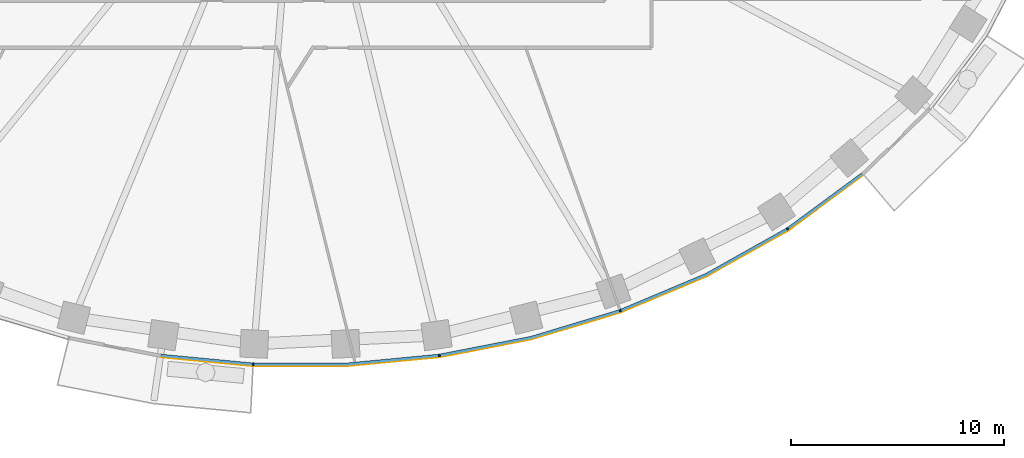
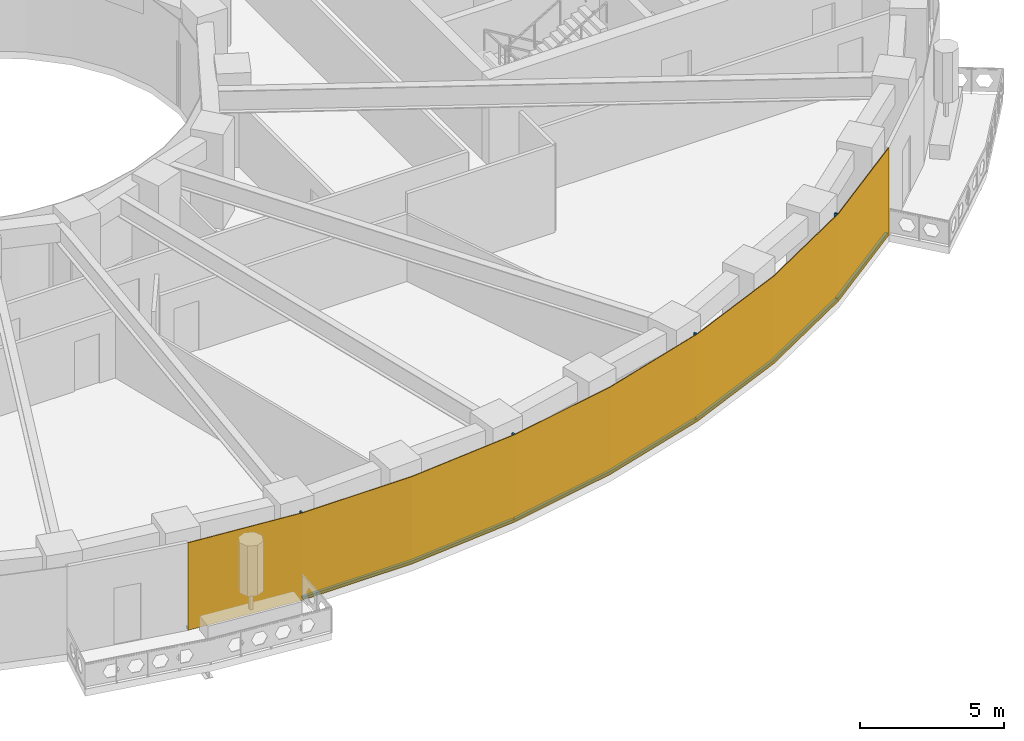
# One storey, part 9 of 16: 9 members, 1 curtain wall.
"""IFC4 building model written with IfcOpenShell, lengths in metres."""

from ifc_helpers import new_model, si_unit, direction, frame, origin, origin_2d, place, context, subcontext, project, spatial, polyline, rectangle, outline, extrude, material, layer, layer_set, material_profile, profile_set, type_object, element, aggregate, save


model = new_model("IFC4")

# Units and contexts
model_context = context("Model", 3, precision=1e-05, world=origin(), true_north=direction((0.0, 1.0)))
body_context = subcontext(model_context, "Body", "Model", "MODEL_VIEW")
ifc_project = project(units=[si_unit("LENGTHUNIT", "METRE"), si_unit("AREAUNIT", "SQUARE_METRE"), si_unit("VOLUMEUNIT", "CUBIC_METRE"), si_unit("PLANEANGLEUNIT", "RADIAN"), si_unit("MASSUNIT", "GRAM", prefix="KILO")], contexts=[model_context])

# Member
ifc_material_1 = material(Name="Aluminium 6063-T6 black anodised", Category="aluminium")
ifc_material_profile = material_profile(ifc_material_1, rectangle(XDim=0.1201171875, YDim=0.06005859375, at=origin_2d()), Name="120x60")
ifc_profile_set = profile_set([ifc_material_profile], Name="Aluminium 6063-T6 black anodised")
member_type_1 = type_object("IfcMemberType", Name="ENV-MULLION-A-120", PredefinedType="MULLION", material=ifc_profile_set)
site_placement = place(None, origin())
building_placement = place(site_placement, origin())
storey_placement = place(building_placement, frame((0.0, 0.0, 100.0)))
member_1_placement = place(storey_placement, frame((-2.188720703125, -27.856201171875, 0.0), z_axis=(0.0, 0.0, 1.0), x_axis=(0.047557873581, 0.998868484166, 0.0)))
member_1 = element("IfcMember", 1, at=member_1_placement, type_object=member_type_1, Name="Mullion A radial 35", PredefinedType="MULLION", context=body_context, shape_type="SweptSolid", body=[
    extrude(rectangle(XDim=0.1201171875, YDim=0.06005859375, at=origin_2d()), origin(), (0.0, 0.0, 1.0), 3.699951171875),
])

member_2_placement = place(storey_placement, frame((6.54638671875, -27.440185546875, 0.0), z_axis=(0.0, 0.0, 1.0), x_axis=(-0.143082012705, 0.989710835366, 0.0)))
member_2 = element("IfcMember", 2, at=member_2_placement, type_object=member_type_1, Name="Mullion A radial 37", PredefinedType="MULLION", context=body_context, shape_type="SweptSolid", body=[
    extrude(rectangle(XDim=0.1201171875, YDim=0.06005859375, at=origin_2d()), origin(), (0.0, 0.0, 1.0), 3.699951171875),
])

member_3_placement = place(storey_placement, frame((15.0341796875, -25.34375, 0.0), z_axis=(0.0, 0.0, 1.0), x_axis=(-0.338379256581, 0.941009818608, 0.0)))
member_3 = element("IfcMember", 3, at=member_3_placement, type_object=member_type_1, Name="Mullion A radial 39", PredefinedType="MULLION", context=body_context, shape_type="SweptSolid", body=[
    extrude(rectangle(XDim=0.1201171875, YDim=0.06005859375, at=origin_2d()), origin(), (0.0, 0.0, 1.0), 3.699951171875),
])

member_4_placement = place(storey_placement, frame((22.882568359375, -21.506591796875, 0.0), z_axis=(0.0, 0.0, 1.0), x_axis=(-0.542279153225, 0.840198381323, 0.0)))
member_4 = element("IfcMember", 4, at=member_4_placement, type_object=member_type_1, Name="Mullion A radial 41", PredefinedType="MULLION", context=body_context, shape_type="SweptSolid", body=[
    extrude(rectangle(XDim=0.1201171875, YDim=0.06005859375, at=origin_2d()), origin(), (0.0, 0.0, 1.0), 3.699951171875),
])

ifc_material_2 = material(Name="Aluminium 6063-T6 black anodised", Category="aluminium")
member_type_2 = type_object("IfcMemberType", Name="ENV-TRANSOM-A", PredefinedType="USERDEFINED", material=ifc_material_2)
member_5_placement = place(storey_placement, origin())
member_5 = element("IfcMember", 5, at=member_5_placement, type_object=member_type_2, Name="Transom A radial 34-35", ObjectType="TRANSOM", PredefinedType="USERDEFINED", context=body_context, shape_type="SweptSolid", body=[
    extrude(outline(polyline([(-6.53515625, -27.50146484375), (-2.219482421875, -27.913330078125), (-2.2138671875, -27.793212890625), (-6.51806640625, -27.382568359375), (-6.53515625, -27.50146484375)])), origin(), (0.0, 0.0, 1.0), 0.10009765625),
])

member_6_placement = place(storey_placement, origin())
member_6 = element("IfcMember", 6, at=member_6_placement, type_object=member_type_2, Name="Transom A radial 35-37", ObjectType="TRANSOM", PredefinedType="USERDEFINED", context=body_context, shape_type="SweptSolid", body=[
    extrude(outline(polyline([(-2.163818359375, -27.916015625), (2.191650390625, -27.916015625), (6.527099609375, -27.502197265625), (6.510009765625, -27.38330078125), (2.185791015625, -27.7958984375), (-2.157958984375, -27.7958984375), (-2.163818359375, -27.916015625)])), origin(), (0.0, 0.0, 1.0), 0.10009765625),
])

member_7_placement = place(storey_placement, origin())
member_7 = element("IfcMember", 7, at=member_7_placement, type_object=member_type_2, Name="Transom A radial 37-39", ObjectType="TRANSOM", PredefinedType="USERDEFINED", context=body_context, shape_type="SweptSolid", body=[
    extrude(outline(polyline([(6.58251953125, -27.494140625), (10.857666015625, -26.6630859375), (15.027587890625, -25.408203125), (14.987060546875, -25.295166015625), (10.828857421875, -26.54638671875), (6.5654296875, -27.375244140625), (6.58251953125, -27.494140625)])), origin(), (0.0, 0.0, 1.0), 0.10009765625),
])

member_8_placement = place(storey_placement, origin())
member_8 = element("IfcMember", 8, at=member_8_placement, type_object=member_type_2, Name="Transom A radial 39-41", ObjectType="TRANSOM", PredefinedType="USERDEFINED", context=body_context, shape_type="SweptSolid", body=[
    extrude(outline(polyline([(15.080322265625, -25.389404296875), (19.093994140625, -23.701416015625), (22.890625, -21.570556640625), (22.825439453125, -21.469482421875), (19.041259765625, -23.593505859375), (15.03955078125, -25.276123046875), (15.080322265625, -25.389404296875)])), origin(), (0.0, 0.0, 1.0), 0.10009765625),
])

member_9_placement = place(storey_placement, origin())
member_9 = element("IfcMember", 9, at=member_9_placement, type_object=member_type_2, Name="Transom A radial 41-42", ObjectType="TRANSOM", PredefinedType="USERDEFINED", context=body_context, shape_type="SweptSolid", body=[
    extrude(outline(polyline([(22.937744140625, -21.540283203125), (26.42626953125, -18.970703125), (26.348388671875, -18.87890625), (22.87255859375, -21.439208984375), (22.937744140625, -21.540283203125)])), origin(), (0.0, 0.0, 1.0), 0.10009765625),
])

# Site, building, storey
site = spatial("IfcSite", under=ifc_project, at=site_placement, CompositionType="ELEMENT")
building = spatial("IfcBuilding", under=site, at=building_placement, Name="Noorbagh Ring Tower", CompositionType="ELEMENT")
storey = spatial("IfcBuildingStorey", under=building, at=storey_placement, Name="L22", CompositionType="ELEMENT", Elevation=100.0)

# Curtain wall
ifc_material_3 = material(Name="Glass dark tinted laminated", Category="glass")
ifc_layer = layer(ifc_material_3, 0.031982421875)
ifc_layer_set = layer_set([ifc_layer], Name="Glass dark tinted laminated")
curtain_wall_type = type_object("IfcCurtainWallType", Name="ENV-CW-A", PredefinedType="NOTDEFINED", material=ifc_layer_set)
curtain_wall_placement = place(storey_placement, origin())
curtain_wall = element("IfcCurtainWall", 10, at=curtain_wall_placement, inside=storey, type_object=curtain_wall_type, Name="Curtain wall A R34", PredefinedType="NOTDEFINED", context=body_context, shape_type="SweptSolid", body=[
    extrude(outline(polyline([(-6.539794921875, -27.533203125), (-2.193115234375, -27.947998046875), (2.193115234375, -27.947998046875), (6.559814453125, -27.53125), (10.865234375, -26.6943359375), (15.065185546875, -25.430419921875), (19.108154296875, -23.730224609375), (22.9326171875, -21.583740234375), (26.447021484375, -18.9951171875), (26.42626953125, -18.970703125), (22.9150390625, -21.556884765625), (19.093994140625, -23.701416015625), (15.054443359375, -25.400146484375), (10.857666015625, -26.6630859375), (6.55517578125, -27.49951171875), (2.191650390625, -27.916015625), (-2.191650390625, -27.916015625), (-6.53515625, -27.50146484375), (-6.539794921875, -27.533203125)])), origin(), (0.0, 0.0, 1.0), 3.699951171875),
])

aggregate(curtain_wall, [member_1, member_2, member_3, member_4, member_5, member_6, member_7, member_8, member_9])

save(model, "model.ifc")
